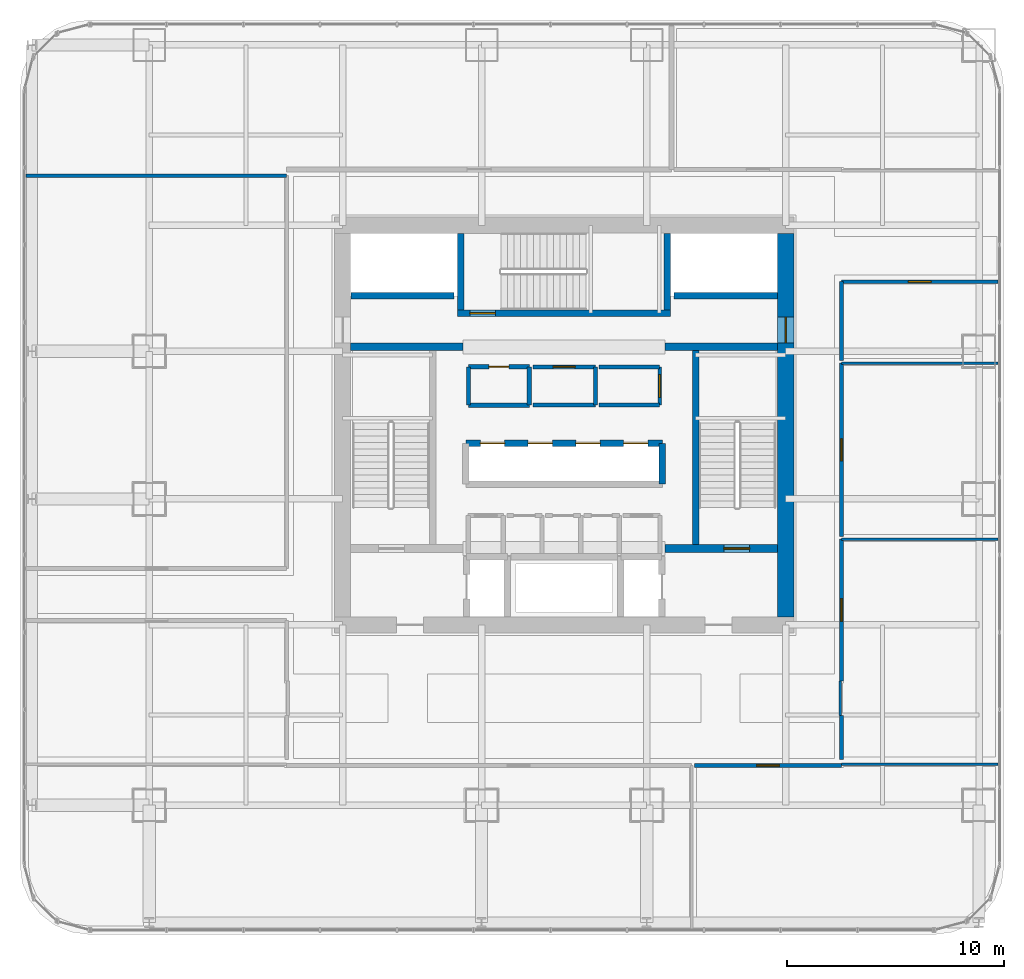
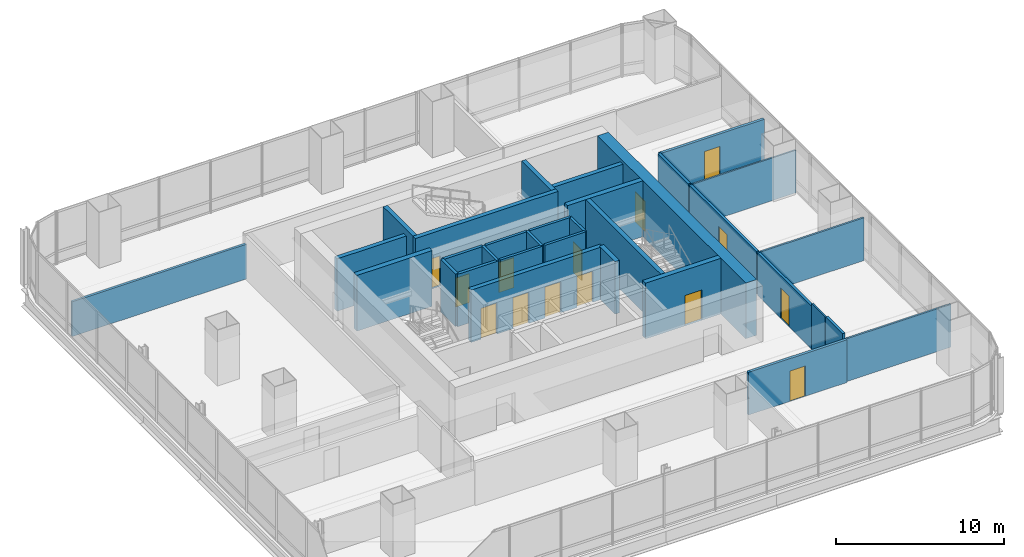
# One storey, part 29 of 35: 33 walls, 14 doors, 14 openings.
"""IFC4 building model written with IfcOpenShell, lengths in metres."""

from ifc_helpers import new_model, si_unit, direction, frame, frame_2d, origin, place, context, subcontext, project, spatial, rectangle, extrude, material, layer, layer_set, type_object, element, fill, save


model = new_model("IFC4")

# Units and contexts
model_context = context("Model", 3, precision=1e-05, world=origin(), true_north=direction((0.0, 1.0)))
body_context = subcontext(model_context, "Body", "Model", "MODEL_VIEW")
ifc_project = project(units=[si_unit("LENGTHUNIT", "METRE"), si_unit("AREAUNIT", "SQUARE_METRE"), si_unit("VOLUMEUNIT", "CUBIC_METRE"), si_unit("PLANEANGLEUNIT", "RADIAN"), si_unit("MASSUNIT", "GRAM", prefix="KILO")], contexts=[model_context])

# Site, building, storey
site_placement = place(None, origin())
site = spatial("IfcSite", under=ifc_project, at=site_placement, CompositionType="ELEMENT")
building_placement = place(site_placement, origin())
building = spatial("IfcBuilding", under=site, at=building_placement, Name="Punatoya Terracotta Tower", CompositionType="ELEMENT")
storey_placement = place(building_placement, frame((0.0, 0.0, 52.5)))
storey = spatial("IfcBuildingStorey", under=building, at=storey_placement, Name="L11", CompositionType="ELEMENT", Elevation=52.5)

# Wall, opening, door
ifc_material_1 = material(Name="Concrete C60/75", Category="concrete")
ifc_layer_1 = layer(ifc_material_1, 0.75)
ifc_layer_set_1 = layer_set([ifc_layer_1], Name="Concrete C60/75")
wall_type_1 = type_object("IfcWallType", Name="WL-COR-750", PredefinedType="SHEAR", material=ifc_layer_set_1)
wall_1_placement = place(storey_placement, frame((10.199951171875, 8.824951171875, 0.0), z_axis=(0.0, 0.0, 1.0), x_axis=(0.0, -1.0, 0.0)))
wall_1 = element("IfcWall", 1, at=wall_1_placement, inside=storey, type_object=wall_type_1, Name="L11 Core Shear Wall E", PredefinedType="SHEAR", context=body_context, shape_type="SweptSolid", body=[
    extrude(rectangle(XDim=17.64990234375, YDim=0.75, at=frame_2d((8.824951171875, 0.0))), origin(), (0.0, 0.0, 1.0), 4.050048828125),
])
opening_1_placement = place(wall_1_placement, frame((3.85498046875, 0.0, 0.0)))
opening_1 = element("IfcOpeningElement", 2, at=opening_1_placement, cuts=wall_1, Name="Opening SD-01", PredefinedType="OPENING", context=body_context, shape_type="SweptSolid", body=[
    extrude(rectangle(XDim=1.179931640625, YDim=2.199951171875, at=frame_2d((0.58984375, 1.10009765625))), frame((0.0, 0.385009765625, 0.0), z_axis=(0.0, -1.0, 0.0), x_axis=(1.0, 0.0, 0.0)), (0.0, 0.0, 1.0), 0.77001953125),
])
ifc_material_2 = material(Name="Galvanised Steel Pressurized Stair Fire Door", Category="steel")
door_type_1 = type_object("IfcDoorType", Name="DR-STR-1180", OperationType="NOTDEFINED", PredefinedType="DOOR", material=ifc_material_2)
door_1_placement = place(opening_1_placement, origin())
door_1 = element("IfcDoor", 3, at=door_1_placement, inside=storey, type_object=door_type_1, Name="L11 Central Lift Lobby East Fire Door", OperationType="SINGLE_SWING_RIGHT", OverallHeight=2.199951171875, OverallWidth=1.179931640625, PredefinedType="DOOR", context=body_context, shape_type="SweptSolid", body=[
    extrude(rectangle(XDim=1.179931640625, YDim=2.199951171875, at=frame_2d((0.58984375, 1.10009765625))), frame((0.0, 0.02490234375, 0.0), z_axis=(0.0, -1.0, 0.0), x_axis=(1.0, 0.0, 0.0)), (0.0, 0.0, 1.0), 0.050048828125),
])
fill(opening_1, door_1)

# Wall
ifc_material_3 = material(Name="Gypsum Fireboard + Steel Stud", Category="steel")
ifc_layer_2 = layer(ifc_material_3, 0.179931640625)
ifc_layer_set_2 = layer_set([ifc_layer_2], Name="Gypsum Fireboard + Steel Stud")
wall_type_2 = type_object("IfcWallType", Name="WL-CORR-180", PredefinedType="PARTITIONING", material=ifc_layer_set_2)
wall_2_placement = place(storey_placement, frame((1.43994140625, 0.919921875, 0.0), z_axis=(0.0, 0.0, 1.0), x_axis=(0.0, 1.0, 0.0)))
element("IfcWall", 4, at=wall_2_placement, inside=storey, type_object=wall_type_2, Name="L11 Center Core Briefing Pod Partition 16", PredefinedType="PARTITIONING", context=body_context, shape_type="SweptSolid", body=[
    extrude(rectangle(XDim=1.760009765625, YDim=0.179931640625, at=frame_2d((0.8798828125, 0.0))), origin(), (0.0, 0.0, 1.0), 3.81005859375),
])

# Wall, opening, door
wall_3_placement = place(storey_placement, frame((1.43994140625, 2.679931640625, 0.0), z_axis=(0.0, 0.0, 1.0), x_axis=(-1.0, 0.0, 0.0)))
wall_3 = element("IfcWall", 5, at=wall_3_placement, inside=storey, type_object=wall_type_2, Name="L11 Center Core Briefing Pod Partition 17", PredefinedType="PARTITIONING", context=body_context, shape_type="SweptSolid", body=[
    extrude(rectangle(XDim=2.8798828125, YDim=0.179931640625, at=frame_2d((1.43994140625, 0.0))), origin(), (0.0, 0.0, 1.0), 3.81005859375),
])
opening_2_placement = place(wall_3_placement, frame((0.929931640625, 0.0, 0.0)))
opening_2 = element("IfcOpeningElement", 6, at=opening_2_placement, cuts=wall_3, Name="Opening MD-01", PredefinedType="OPENING", context=body_context, shape_type="SweptSolid", body=[
    extrude(rectangle(XDim=1.02001953125, YDim=2.199951171875, at=frame_2d((0.510009765625, 1.10009765625))), frame((0.0, 0.099853515625, 0.0), z_axis=(0.0, -1.0, 0.0), x_axis=(1.0, 0.0, 0.0)), (0.0, 0.0, 1.0), 0.199951171875),
])
ifc_material_4 = material(Name="Aluminium + Acoustic Glass Leaf", Category="aluminium")
door_type_2 = type_object("IfcDoorType", Name="DR-MTG-1020", OperationType="NOTDEFINED", PredefinedType="DOOR", material=ifc_material_4)
door_2_placement = place(opening_2_placement, origin())
door_2 = element("IfcDoor", 7, at=door_2_placement, inside=storey, type_object=door_type_2, Name="L11 Center Briefing Pod Door", OperationType="SINGLE_SWING_RIGHT", OverallHeight=2.199951171875, OverallWidth=1.02001953125, PredefinedType="DOOR", context=body_context, shape_type="SweptSolid", body=[
    extrude(rectangle(XDim=1.02001953125, YDim=2.199951171875, at=frame_2d((0.510009765625, 1.10009765625))), frame((0.0, 0.02490234375, 0.0), z_axis=(0.0, -1.0, 0.0), x_axis=(1.0, 0.0, 0.0)), (0.0, 0.0, 1.0), 0.050048828125),
])
fill(opening_2, door_2)

# Wall
wall_4_placement = place(storey_placement, frame((-1.43994140625, 0.919921875, 0.0), z_axis=(0.0, 0.0, 1.0), x_axis=(1.0, 0.0, 0.0)))
element("IfcWall", 8, at=wall_4_placement, inside=storey, type_object=wall_type_2, Name="L11 Center Core Briefing Pod Partition 18", PredefinedType="PARTITIONING", context=body_context, shape_type="SweptSolid", body=[
    extrude(rectangle(XDim=2.8798828125, YDim=0.179931640625, at=frame_2d((1.43994140625, 0.0))), origin(), (0.0, 0.0, 1.0), 3.81005859375),
])

# Wall, opening, door
wall_5_placement = place(storey_placement, frame((4.39990234375, 0.919921875, 0.0), z_axis=(0.0, 0.0, 1.0), x_axis=(0.0, 1.0, 0.0)))
wall_5 = element("IfcWall", 9, at=wall_5_placement, inside=storey, type_object=wall_type_2, Name="L11 Right Core Copy Room Partition 19", PredefinedType="PARTITIONING", context=body_context, shape_type="SweptSolid", body=[
    extrude(rectangle(XDim=1.760009765625, YDim=0.179931640625, at=frame_2d((0.8798828125, 0.0))), origin(), (0.0, 0.0, 1.0), 3.81005859375),
])
opening_3_placement = place(wall_5_placement, frame((0.35498046875, 0.0, 0.0)))
opening_3 = element("IfcOpeningElement", 10, at=opening_3_placement, cuts=wall_5, Name="Opening OD-01", PredefinedType="OPENING", context=body_context, shape_type="SweptSolid", body=[
    extrude(rectangle(XDim=1.050048828125, YDim=2.199951171875, at=frame_2d((0.52490234375, 1.10009765625))), frame((0.0, 0.099853515625, 0.0), z_axis=(0.0, -1.0, 0.0), x_axis=(1.0, 0.0, 0.0)), (0.0, 0.0, 1.0), 0.199951171875),
])
ifc_material_5 = material(Name="Bengal Teak Solid-Core Leaf")
door_type_3 = type_object("IfcDoorType", Name="DR-OFF-1050", OperationType="NOTDEFINED", PredefinedType="DOOR", material=ifc_material_5)
door_3_placement = place(opening_3_placement, origin())
door_3 = element("IfcDoor", 11, at=door_3_placement, inside=storey, type_object=door_type_3, Name="L11 Right Copy Room Door", OperationType="SINGLE_SWING_LEFT", OverallHeight=2.199951171875, OverallWidth=1.050048828125, PredefinedType="DOOR", context=body_context, shape_type="SweptSolid", body=[
    extrude(rectangle(XDim=1.050048828125, YDim=2.199951171875, at=frame_2d((0.52490234375, 1.10009765625))), frame((0.0, 0.02490234375, 0.0), z_axis=(0.0, -1.0, 0.0), x_axis=(1.0, 0.0, 0.0)), (0.0, 0.0, 1.0), 0.050048828125),
])
fill(opening_3, door_3)

# Walls
for number, where, z_axis, x_axis, name in (
    (12, (4.39990234375, 2.679931640625, 0.0), (0.0, 0.0, 1.0), (-1.0, 0.0, 0.0), "L11 Right Core Copy Room Partition 20"),
    (13, (1.60009765625, 0.919921875, 0.0), (0.0, 0.0, 1.0), (1.0, 0.0, 0.0), "L11 Right Core Copy Room Partition 21"),
):
    element("IfcWall", number, at=place(storey_placement, frame(where, z_axis=z_axis, x_axis=x_axis)), inside=storey, type_object=wall_type_2, Name=name, PredefinedType="PARTITIONING", context=body_context, shape_type="SweptSolid", body=[
        extrude(rectangle(XDim=2.7998046875, YDim=0.179931640625, at=frame_2d((1.39990234375, 0.0))), origin(), (0.0, 0.0, 1.0), 3.81005859375),
    ])

# Wall, opening, door
wall_6_placement = place(storey_placement, frame((5.993896484375, -15.669921875, 0.0), z_axis=(0.0, 0.0, 1.0), x_axis=(1.0, 0.0, 0.0)))
wall_6 = element("IfcWall", 14, at=wall_6_placement, inside=storey, type_object=wall_type_2, Name="L11 Open-Plan Cartography Reference Library Partition 26", PredefinedType="PARTITIONING", context=body_context, shape_type="SweptSolid", body=[
    extrude(rectangle(XDim=6.776123046875, YDim=0.179931640625, at=frame_2d((3.38818359375, 0.0))), origin(), (0.0, 0.0, 1.0), 3.10400390625),
])
opening_4_placement = place(wall_6_placement, frame((2.863037109375, 0.0, 0.0)))
opening_4 = element("IfcOpeningElement", 15, at=opening_4_placement, cuts=wall_6, Name="Opening OD-01", PredefinedType="OPENING", context=body_context, shape_type="SweptSolid", body=[
    extrude(rectangle(XDim=1.050048828125, YDim=2.199951171875, at=frame_2d((0.52490234375, 1.10009765625))), frame((0.0, 0.099853515625, 0.0), z_axis=(0.0, -1.0, 0.0), x_axis=(1.0, 0.0, 0.0)), (0.0, 0.0, 1.0), 0.199951171875),
])
door_4_placement = place(opening_4_placement, origin())
door_4 = element("IfcDoor", 16, at=door_4_placement, inside=storey, type_object=door_type_3, Name="L11 Open-Plan Cartography Reference Library Door", OperationType="SINGLE_SWING_LEFT", OverallHeight=2.199951171875, OverallWidth=1.050048828125, PredefinedType="DOOR", context=body_context, shape_type="SweptSolid", body=[
    extrude(rectangle(XDim=1.050048828125, YDim=2.199951171875, at=frame_2d((0.52490234375, 1.10009765625))), frame((0.0, 0.02490234375, 0.0), z_axis=(0.0, -1.0, 0.0), x_axis=(1.0, 0.0, 0.0)), (0.0, 0.0, 1.0), 0.050048828125),
])
fill(opening_4, door_4)

wall_7_placement = place(storey_placement, frame((12.77001953125, -11.77001953125, 0.0), z_axis=(0.0, 0.0, 1.0), x_axis=(0.0, 1.0, 0.0)))
wall_7 = element("IfcWall", 17, at=wall_7_placement, inside=storey, type_object=wall_type_2, Name="L11 Environmental Research Laboratory Partition 32", PredefinedType="PARTITIONING", context=body_context, shape_type="SweptSolid", body=[
    extrude(rectangle(XDim=6.52001953125, YDim=0.179931640625, at=frame_2d((3.260009765625, 0.0))), origin(), (0.0, 0.0, 1.0), 3.10400390625),
])
opening_5_placement = place(wall_7_placement, frame((2.735107421875, 0.0, 0.0)))
opening_5 = element("IfcOpeningElement", 18, at=opening_5_placement, cuts=wall_7, Name="Opening OD-01", PredefinedType="OPENING", context=body_context, shape_type="SweptSolid", body=[
    extrude(rectangle(XDim=1.050048828125, YDim=2.199951171875, at=frame_2d((0.52490234375, 1.10009765625))), frame((0.0, 0.099853515625, 0.0), z_axis=(0.0, -1.0, 0.0), x_axis=(1.0, 0.0, 0.0)), (0.0, 0.0, 1.0), 0.199951171875),
])
door_5_placement = place(opening_5_placement, origin())
door_5 = element("IfcDoor", 19, at=door_5_placement, inside=storey, type_object=door_type_3, Name="L11 Environmental Research Laboratory Door", OperationType="SINGLE_SWING_LEFT", OverallHeight=2.199951171875, OverallWidth=1.050048828125, PredefinedType="DOOR", context=body_context, shape_type="SweptSolid", body=[
    extrude(rectangle(XDim=1.050048828125, YDim=2.199951171875, at=frame_2d((0.52490234375, 1.10009765625))), frame((0.0, 0.02490234375, 0.0), z_axis=(0.0, -1.0, 0.0), x_axis=(1.0, 0.0, 0.0)), (0.0, 0.0, 1.0), 0.050048828125),
])
fill(opening_5, door_5)

# Wall
wall_8_placement = place(storey_placement, frame((12.77001953125, -15.389892578125, 0.0), z_axis=(0.0, 0.0, 1.0), x_axis=(0.0, 1.0, 0.0)))
element("IfcWall", 20, at=wall_8_placement, inside=storey, type_object=wall_type_2, Name="L11 Environmental Research Laboratory Partition 34", PredefinedType="PARTITIONING", context=body_context, shape_type="SweptSolid", body=[
    extrude(rectangle(XDim=2.010009765625, YDim=0.179931640625, at=frame_2d((1.0048828125, 0.0))), origin(), (0.0, 0.0, 1.0), 3.35400390625),
])

# Wall, opening, door
wall_9_placement = place(storey_placement, frame((12.77001953125, -5.1298828125, 0.0), z_axis=(0.0, 0.0, 1.0), x_axis=(0.0, 1.0, 0.0)))
wall_9 = element("IfcWall", 21, at=wall_9_placement, inside=storey, type_object=wall_type_2, Name="L11 Open-Plan Technical Seminar Room Partition 36", PredefinedType="PARTITIONING", context=body_context, shape_type="SweptSolid", body=[
    extrude(rectangle(XDim=7.97998046875, YDim=0.179931640625, at=frame_2d((3.989990234375, 0.0))), origin(), (0.0, 0.0, 1.0), 3.10400390625),
])
opening_6_placement = place(wall_9_placement, frame((3.47998046875, 0.0, 0.0)))
opening_6 = element("IfcOpeningElement", 22, at=opening_6_placement, cuts=wall_9, Name="Opening MD-01", PredefinedType="OPENING", context=body_context, shape_type="SweptSolid", body=[
    extrude(rectangle(XDim=1.02001953125, YDim=2.199951171875, at=frame_2d((0.510009765625, 1.10009765625))), frame((0.0, 0.099853515625, 0.0), z_axis=(0.0, -1.0, 0.0), x_axis=(1.0, 0.0, 0.0)), (0.0, 0.0, 1.0), 0.199951171875),
])
door_6_placement = place(opening_6_placement, origin())
door_6 = element("IfcDoor", 23, at=door_6_placement, inside=storey, type_object=door_type_2, Name="L11 Open-Plan Technical Seminar Room Door", OperationType="SINGLE_SWING_RIGHT", OverallHeight=2.199951171875, OverallWidth=1.02001953125, PredefinedType="DOOR", context=body_context, shape_type="SweptSolid", body=[
    extrude(rectangle(XDim=1.02001953125, YDim=2.199951171875, at=frame_2d((0.510009765625, 1.10009765625))), frame((0.0, 0.02490234375, 0.0), z_axis=(0.0, -1.0, 0.0), x_axis=(1.0, 0.0, 0.0)), (0.0, 0.0, 1.0), 0.050048828125),
])
fill(opening_6, door_6)

wall_10_placement = place(storey_placement, frame((12.77001953125, 6.60009765625, 0.0), z_axis=(0.0, 0.0, 1.0), x_axis=(1.0, 0.0, 0.0)))
wall_10 = element("IfcWall", 24, at=wall_10_placement, inside=storey, type_object=wall_type_2, Name="L11 Open-Plan Wellness Rest Room Partition 40", PredefinedType="PARTITIONING", context=body_context, shape_type="SweptSolid", body=[
    extrude(rectangle(XDim=7.199951171875, YDim=0.179931640625, at=frame_2d((3.60009765625, 0.0))), origin(), (0.0, 0.0, 1.0), 3.10400390625),
])
opening_7_placement = place(wall_10_placement, frame((3.074951171875, 0.0, 0.0)))
opening_7 = element("IfcOpeningElement", 25, at=opening_7_placement, cuts=wall_10, Name="Opening OD-01", PredefinedType="OPENING", context=body_context, shape_type="SweptSolid", body=[
    extrude(rectangle(XDim=1.050048828125, YDim=2.199951171875, at=frame_2d((0.52490234375, 1.10009765625))), frame((0.0, 0.099853515625, 0.0), z_axis=(0.0, -1.0, 0.0), x_axis=(1.0, 0.0, 0.0)), (0.0, 0.0, 1.0), 0.199951171875),
])
door_7_placement = place(opening_7_placement, origin())
door_7 = element("IfcDoor", 26, at=door_7_placement, inside=storey, type_object=door_type_3, Name="L11 Open-Plan Wellness Rest Room Door", OperationType="SINGLE_SWING_RIGHT", OverallHeight=2.199951171875, OverallWidth=1.050048828125, PredefinedType="DOOR", context=body_context, shape_type="SweptSolid", body=[
    extrude(rectangle(XDim=1.050048828125, YDim=2.199951171875, at=frame_2d((0.52490234375, 1.10009765625))), frame((0.0, 0.02490234375, 0.0), z_axis=(0.0, -1.0, 0.0), x_axis=(1.0, 0.0, 0.0)), (0.0, 0.0, 1.0), 0.050048828125),
])
fill(opening_7, door_7)

# Walls
wall_11_placement = place(storey_placement, frame((12.77001953125, 2.969970703125, 0.0), z_axis=(0.0, 0.0, 1.0), x_axis=(0.0, 1.0, 0.0)))
element("IfcWall", 27, at=wall_11_placement, inside=storey, type_object=wall_type_2, Name="L11 Open-Plan Wellness Rest Room Partition 41", PredefinedType="PARTITIONING", context=body_context, shape_type="SweptSolid", body=[
    extrude(rectangle(XDim=3.630126953125, YDim=0.179931640625, at=frame_2d((1.81494140625, 0.0))), origin(), (0.0, 0.0, 1.0), 3.10400390625),
])
ifc_material_6 = material(Name="Aluminium Framed Acoustic Glass Partition", Category="aluminium")
ifc_layer_3 = layer(ifc_material_6, 0.10009765625)
ifc_layer_set_3 = layer_set([ifc_layer_3], Name="Aluminium Framed Acoustic Glass Partition")
wall_type_3 = type_object("IfcWallType", Name="WL-GLZ-100", PredefinedType="PARTITIONING", material=ifc_layer_set_3)
wall_12_placement = place(storey_placement, frame((12.77001953125, 2.85009765625, 0.0), z_axis=(0.0, 0.0, 1.0), x_axis=(1.0, 0.0, 0.0)))
element("IfcWall", 28, at=wall_12_placement, inside=storey, type_object=wall_type_3, Name="L11 Open-Plan Technical Seminar Room Partition 35", PredefinedType="PARTITIONING", context=body_context, shape_type="SweptSolid", body=[
    extrude(rectangle(XDim=7.199951171875, YDim=0.10009765625, at=frame_2d((3.60009765625, 0.0))), origin(), (0.0, 0.0, 1.0), 3.10400390625),
])
ifc_material_7 = material(Name="Concrete C40/50", Category="concrete")
ifc_layer_4 = layer(ifc_material_7, 0.199951171875)
ifc_layer_set_4 = layer_set([ifc_layer_4], Name="Concrete C40/50")
wall_type_4 = type_object("IfcWallType", Name="WL-INT-200", PredefinedType="SOLIDWALL", material=ifc_layer_set_4)
wall_13_placement = place(storey_placement, frame((-1.60009765625, 0.919921875, 0.0), z_axis=(0.0, 0.0, 1.0), x_axis=(0.0, 1.0, 0.0)))
element("IfcWall", 29, at=wall_13_placement, inside=storey, type_object=wall_type_4, Name="L11 Left Core Store Partition 12", PredefinedType="SOLIDWALL", context=body_context, shape_type="SweptSolid", body=[
    extrude(rectangle(XDim=1.760009765625, YDim=0.199951171875, at=frame_2d((0.8798828125, 0.0))), origin(), (0.0, 0.0, 1.0), 3.81005859375),
])

# Wall, opening, door
wall_14_placement = place(storey_placement, frame((-1.60009765625, 2.679931640625, 0.0), z_axis=(0.0, 0.0, 1.0), x_axis=(-1.0, 0.0, 0.0)))
wall_14 = element("IfcWall", 30, at=wall_14_placement, inside=storey, type_object=wall_type_4, Name="L11 Left Core Store Partition 13", PredefinedType="SOLIDWALL", context=body_context, shape_type="SweptSolid", body=[
    extrude(rectangle(XDim=2.7998046875, YDim=0.199951171875, at=frame_2d((1.39990234375, 0.0))), origin(), (0.0, 0.0, 1.0), 3.81005859375),
])
opening_8_placement = place(wall_14_placement, frame((0.93994140625, 0.0, 0.0)))
opening_8 = element("IfcOpeningElement", 31, at=opening_8_placement, cuts=wall_14, Name="Opening FD-R1", PredefinedType="OPENING", context=body_context, shape_type="SweptSolid", body=[
    extrude(rectangle(XDim=0.919921875, YDim=2.10009765625, at=frame_2d((0.4599609375, 1.050048828125))), frame((0.0, 0.10986328125, 0.0), z_axis=(0.0, -1.0, 0.0), x_axis=(1.0, 0.0, 0.0)), (0.0, 0.0, 1.0), 0.219970703125),
])
ifc_material_8 = material(Name="Galvanised Steel Riser Fire Access Door", Category="steel")
door_type_4 = type_object("IfcDoorType", Name="DR-RSR-920", OperationType="NOTDEFINED", PredefinedType="DOOR", material=ifc_material_8)
door_8_placement = place(opening_8_placement, origin())
door_8 = element("IfcDoor", 32, at=door_8_placement, inside=storey, type_object=door_type_4, Name="L11 Left Core Store Fire Door", OperationType="SINGLE_SWING_LEFT", OverallHeight=2.10009765625, OverallWidth=0.919921875, PredefinedType="DOOR", context=body_context, shape_type="SweptSolid", body=[
    extrude(rectangle(XDim=0.919921875, YDim=2.10009765625, at=frame_2d((0.4599609375, 1.050048828125))), frame((0.0, 0.02490234375, 0.0), z_axis=(0.0, -1.0, 0.0), x_axis=(1.0, 0.0, 0.0)), (0.0, 0.0, 1.0), 0.050048828125),
])
fill(opening_8, door_8)

# Walls
wall_15_placement = place(storey_placement, frame((-4.39990234375, 2.679931640625, 0.0), z_axis=(0.0, 0.0, 1.0), x_axis=(0.0, -1.0, 0.0)))
element("IfcWall", 33, at=wall_15_placement, inside=storey, type_object=wall_type_4, Name="L11 Left Core Store Partition 14", PredefinedType="SOLIDWALL", context=body_context, shape_type="SweptSolid", body=[
    extrude(rectangle(XDim=1.760009765625, YDim=0.199951171875, at=frame_2d((0.8798828125, 0.0))), origin(), (0.0, 0.0, 1.0), 3.81005859375),
])
wall_16_placement = place(storey_placement, frame((-4.39990234375, 0.919921875, 0.0), z_axis=(0.0, 0.0, 1.0), x_axis=(1.0, 0.0, 0.0)))
element("IfcWall", 34, at=wall_16_placement, inside=storey, type_object=wall_type_4, Name="L11 Left Core Store Partition 15", PredefinedType="SOLIDWALL", context=body_context, shape_type="SweptSolid", body=[
    extrude(rectangle(XDim=2.7998046875, YDim=0.199951171875, at=frame_2d((1.39990234375, 0.0))), origin(), (0.0, 0.0, 1.0), 3.81005859375),
])
ifc_material_9 = material(Name="Gypsum Partition + Steel Stud", Category="steel")
ifc_layer_5 = layer(ifc_material_9, 0.1201171875)
ifc_layer_set_5 = layer_set([ifc_layer_5], Name="Gypsum Partition + Steel Stud")
wall_type_5 = type_object("IfcWallType", Name="WL-OFF-120", PredefinedType="PARTITIONING", material=ifc_layer_set_5)
wall_17_placement = place(storey_placement, frame((12.77001953125, -15.610107421875, 0.0), z_axis=(0.0, 0.0, 1.0), x_axis=(1.0, 0.0, 0.0)))
element("IfcWall", 35, at=wall_17_placement, inside=storey, type_object=wall_type_5, Name="L11 Open-Plan Cartography Reference Library Partition 25", PredefinedType="PARTITIONING", context=body_context, shape_type="SweptSolid", body=[
    extrude(rectangle(XDim=7.199951171875, YDim=0.1201171875, at=frame_2d((3.60009765625, 0.0))), origin(), (0.0, 0.0, 1.0), 3.10400390625),
])
wall_18_placement = place(storey_placement, frame((12.7099609375, -13.3798828125, 0.0), z_axis=(0.0, 0.0, 1.0), x_axis=(0.0, 1.0, 0.0)))
element("IfcWall", 36, at=wall_18_placement, inside=storey, type_object=wall_type_5, Name="L11 Environmental Research Laboratory Partition 31", PredefinedType="PARTITIONING", context=body_context, shape_type="SweptSolid", body=[
    extrude(rectangle(XDim=1.60986328125, YDim=0.1201171875, at=frame_2d((0.804931640625, 0.0))), origin(), (0.0, 0.0, 1.0), 3.35400390625),
])
wall_19_placement = place(storey_placement, frame((12.77001953125, -5.25, 0.0), z_axis=(0.0, 0.0, 1.0), x_axis=(1.0, 0.0, 0.0)))
element("IfcWall", 37, at=wall_19_placement, inside=storey, type_object=wall_type_5, Name="L11 Environmental Research Laboratory Partition 33", PredefinedType="PARTITIONING", context=body_context, shape_type="SweptSolid", body=[
    extrude(rectangle(XDim=7.199951171875, YDim=0.1201171875, at=frame_2d((3.60009765625, 0.0))), origin(), (0.0, 0.0, 1.0), 3.10400390625),
])
ifc_layer_6 = layer(ifc_material_7, 0.300048828125)
ifc_layer_set_6 = layer_set([ifc_layer_6], Name="Concrete C40/50")
wall_type_6 = type_object("IfcWallType", Name="WL-SHF-300", PredefinedType="SOLIDWALL", material=ifc_layer_set_6)
wall_20_placement = place(storey_placement, frame((6.050048828125, 3.449951171875, 0.0), z_axis=(0.0, 0.0, 1.0), x_axis=(0.0, -1.0, 0.0)))
element("IfcWall", 38, at=wall_20_placement, inside=storey, type_object=wall_type_6, Name="L11 Structural Stair Shaft Wall SW-ST2-W", PredefinedType="SOLIDWALL", context=body_context, shape_type="SweptSolid", body=[
    extrude(rectangle(XDim=8.949951171875, YDim=0.300048828125, at=frame_2d((4.47509765625, 0.0))), origin(), (0.0, 0.0, 1.0), 4.050048828125),
])
for number, where, z_axis, x_axis, name in (
    (39, (-4.75, 5.300048828125, 0.0), (0.0, 0.0, 1.0), (0.0, 1.0, 0.0), "L11 Structural Stair Shaft Wall SW-ST3-W"),
    (40, (4.75, 8.824951171875, 0.0), (0.0, 0.0, 1.0), (0.0, -1.0, 0.0), "L11 Structural Stair Shaft Wall SW-ST3-E"),
):
    element("IfcWall", number, at=place(storey_placement, frame(where, z_axis=z_axis, x_axis=x_axis)), inside=storey, type_object=wall_type_6, Name=name, PredefinedType="SOLIDWALL", context=body_context, shape_type="SweptSolid", body=[
        extrude(rectangle(XDim=3.52490234375, YDim=0.300048828125, at=frame_2d((1.762451171875, 0.0))), origin(), (0.0, 0.0, 1.0), 4.050048828125),
    ])

# Wall, opening, door
wall_21_placement = place(storey_placement, frame((-4.89990234375, 5.14990234375, 0.0), z_axis=(0.0, 0.0, 1.0), x_axis=(1.0, 0.0, 0.0)))
wall_21 = element("IfcWall", 41, at=wall_21_placement, inside=storey, type_object=wall_type_6, Name="L11 Structural Stair Shaft Wall SW-ST3-S", PredefinedType="SOLIDWALL", context=body_context, shape_type="SweptSolid", body=[
    extrude(rectangle(XDim=9.7998046875, YDim=0.300048828125, at=frame_2d((4.89990234375, 0.0))), origin(), (0.0, 0.0, 1.0), 4.050048828125),
])
opening_9_placement = place(wall_21_placement, frame((0.56005859375, 0.0, 0.0)))
opening_9 = element("IfcOpeningElement", 42, at=opening_9_placement, cuts=wall_21, Name="Opening SD-01", PredefinedType="OPENING", context=body_context, shape_type="SweptSolid", body=[
    extrude(rectangle(XDim=1.179931640625, YDim=2.199951171875, at=frame_2d((0.58984375, 1.10009765625))), frame((0.0, 0.159912109375, 0.0), z_axis=(0.0, -1.0, 0.0), x_axis=(1.0, 0.0, 0.0)), (0.0, 0.0, 1.0), 0.320068359375),
])
door_9_placement = place(opening_9_placement, origin())
door_9 = element("IfcDoor", 43, at=door_9_placement, inside=storey, type_object=door_type_1, Name="L11 Stair ST-3 Core Lobby Fire Door", OperationType="SINGLE_SWING_LEFT", OverallHeight=2.199951171875, OverallWidth=1.179931640625, PredefinedType="DOOR", context=body_context, shape_type="SweptSolid", body=[
    extrude(rectangle(XDim=1.179931640625, YDim=2.199951171875, at=frame_2d((0.58984375, 1.10009765625))), frame((0.0, 0.02490234375, 0.0), z_axis=(0.0, -1.0, 0.0), x_axis=(1.0, 0.0, 0.0)), (0.0, 0.0, 1.0), 0.050048828125),
])
fill(opening_9, door_9)

# Wall, openings, doors
wall_22_placement = place(storey_placement, frame((-4.52001953125, -0.840087890625, 0.0), z_axis=(0.0, 0.0, 1.0), x_axis=(1.0, 0.0, 0.0)))
wall_22 = element("IfcWall", 44, at=wall_22_placement, inside=storey, type_object=wall_type_6, Name="L11 South Lift Bank Front Shaft Wall", PredefinedType="SOLIDWALL", context=body_context, shape_type="SweptSolid", body=[
    extrude(rectangle(XDim=9.0400390625, YDim=0.300048828125, at=frame_2d((4.52001953125, 0.0))), origin(), (0.0, 0.0, 1.0), 3.81005859375),
])
opening_10_placement = place(wall_22_placement, frame((0.659912109375, 0.0, 0.0)))
opening_10 = element("IfcOpeningElement", 45, at=opening_10_placement, cuts=wall_22, Name="Opening LD-02", PredefinedType="OPENING", context=body_context, shape_type="SweptSolid", body=[
    extrude(rectangle(XDim=1.1201171875, YDim=2.25, at=frame_2d((0.56005859375, 1.125))), frame((0.0, 0.159912109375, 0.0), z_axis=(0.0, -1.0, 0.0), x_axis=(1.0, 0.0, 0.0)), (0.0, 0.0, 1.0), 0.320068359375),
])
opening_11_placement = place(wall_22_placement, frame((2.860107421875, 0.0, 0.0)))
opening_11 = element("IfcOpeningElement", 46, at=opening_11_placement, cuts=wall_22, Name="Opening LD-02", PredefinedType="OPENING", context=body_context, shape_type="SweptSolid", body=[
    extrude(rectangle(XDim=1.1201171875, YDim=2.25, at=frame_2d((0.56005859375, 1.125))), frame((0.0, 0.159912109375, 0.0), z_axis=(0.0, -1.0, 0.0), x_axis=(1.0, 0.0, 0.0)), (0.0, 0.0, 1.0), 0.320068359375),
])
opening_12_placement = place(wall_22_placement, frame((5.06005859375, 0.0, 0.0)))
opening_12 = element("IfcOpeningElement", 47, at=opening_12_placement, cuts=wall_22, Name="Opening LD-02", PredefinedType="OPENING", context=body_context, shape_type="SweptSolid", body=[
    extrude(rectangle(XDim=1.1201171875, YDim=2.25, at=frame_2d((0.56005859375, 1.125))), frame((0.0, 0.159912109375, 0.0), z_axis=(0.0, -1.0, 0.0), x_axis=(1.0, 0.0, 0.0)), (0.0, 0.0, 1.0), 0.320068359375),
])
opening_13_placement = place(wall_22_placement, frame((7.260009765625, 0.0, 0.0)))
opening_13 = element("IfcOpeningElement", 48, at=opening_13_placement, cuts=wall_22, Name="Opening LD-02", PredefinedType="OPENING", context=body_context, shape_type="SweptSolid", body=[
    extrude(rectangle(XDim=1.1201171875, YDim=2.25, at=frame_2d((0.56005859375, 1.125))), frame((0.0, 0.159912109375, 0.0), z_axis=(0.0, -1.0, 0.0), x_axis=(1.0, 0.0, 0.0)), (0.0, 0.0, 1.0), 0.320068359375),
])
ifc_material_10 = material(Name="Stainless Steel Lift Landing Door", Category="steel")
door_type_5 = type_object("IfcDoorType", Name="DR-LND-1120", OperationType="NOTDEFINED", PredefinedType="DOOR", material=ifc_material_10)
door_10_placement = place(opening_10_placement, origin())
door_10 = element("IfcDoor", 49, at=door_10_placement, inside=storey, type_object=door_type_5, Name="L11 Lift PL-L1 Sliding Landing Door", OperationType="DOUBLE_DOOR_SLIDING", OverallHeight=2.25, OverallWidth=1.1201171875, PredefinedType="DOOR", context=body_context, shape_type="SweptSolid", body=[
    extrude(rectangle(XDim=1.1201171875, YDim=2.25, at=frame_2d((0.56005859375, 1.125))), frame((0.0, 0.02490234375, 0.0), z_axis=(0.0, -1.0, 0.0), x_axis=(1.0, 0.0, 0.0)), (0.0, 0.0, 1.0), 0.050048828125),
])
fill(opening_10, door_10)
door_11_placement = place(opening_11_placement, origin())
door_11 = element("IfcDoor", 50, at=door_11_placement, inside=storey, type_object=door_type_5, Name="L11 Lift PL-L2 Sliding Landing Door", OperationType="DOUBLE_DOOR_SLIDING", OverallHeight=2.25, OverallWidth=1.1201171875, PredefinedType="DOOR", context=body_context, shape_type="SweptSolid", body=[
    extrude(rectangle(XDim=1.1201171875, YDim=2.25, at=frame_2d((0.56005859375, 1.125))), frame((0.0, 0.02490234375, 0.0), z_axis=(0.0, -1.0, 0.0), x_axis=(1.0, 0.0, 0.0)), (0.0, 0.0, 1.0), 0.050048828125),
])
fill(opening_11, door_11)
door_12_placement = place(opening_12_placement, origin())
door_12 = element("IfcDoor", 51, at=door_12_placement, inside=storey, type_object=door_type_5, Name="L11 Lift PL-L3 Sliding Landing Door", OperationType="DOUBLE_DOOR_SLIDING", OverallHeight=2.25, OverallWidth=1.1201171875, PredefinedType="DOOR", context=body_context, shape_type="SweptSolid", body=[
    extrude(rectangle(XDim=1.1201171875, YDim=2.25, at=frame_2d((0.56005859375, 1.125))), frame((0.0, 0.02490234375, 0.0), z_axis=(0.0, -1.0, 0.0), x_axis=(1.0, 0.0, 0.0)), (0.0, 0.0, 1.0), 0.050048828125),
])
fill(opening_12, door_12)
door_13_placement = place(opening_13_placement, origin())
door_13 = element("IfcDoor", 52, at=door_13_placement, inside=storey, type_object=door_type_5, Name="L11 Lift PL-L4 Sliding Landing Door", OperationType="DOUBLE_DOOR_SLIDING", OverallHeight=2.25, OverallWidth=1.1201171875, PredefinedType="DOOR", context=body_context, shape_type="SweptSolid", body=[
    extrude(rectangle(XDim=1.1201171875, YDim=2.25, at=frame_2d((0.56005859375, 1.125))), frame((0.0, 0.02490234375, 0.0), z_axis=(0.0, -1.0, 0.0), x_axis=(1.0, 0.0, 0.0)), (0.0, 0.0, 1.0), 0.050048828125),
])
fill(opening_13, door_13)

# Walls
wall_23_placement = place(storey_placement, frame((4.52001953125, -2.719970703125, 0.0), z_axis=(0.0, 0.0, 1.0), x_axis=(0.0, 1.0, 0.0)))
element("IfcWall", 53, at=wall_23_placement, inside=storey, type_object=wall_type_6, Name="L11 South Lift Bank East End Wall", PredefinedType="SOLIDWALL", context=body_context, shape_type="SweptSolid", body=[
    extrude(rectangle(XDim=1.8798828125, YDim=0.300048828125, at=frame_2d((0.93994140625, 0.0))), origin(), (0.0, 0.0, 1.0), 3.81005859375),
])
for number, where, z_axis, x_axis, name in (
    (54, (-9.820068359375, 5.949951171875, 0.0), (0.0, 0.0, 1.0), (1.0, 0.0, 0.0), "L11 Shuttle SL-1 South Hoistway Wall"),
    (55, (5.06005859375, 5.949951171875, 0.0), (0.0, 0.0, 1.0), (1.0, 0.0, 0.0), "L11 Shuttle SL-2 South Hoistway Wall"),
):
    element("IfcWall", number, at=place(storey_placement, frame(where, z_axis=z_axis, x_axis=x_axis)), inside=storey, type_object=wall_type_6, Name=name, PredefinedType="SOLIDWALL", context=body_context, shape_type="SweptSolid", body=[
        extrude(rectangle(XDim=4.760009765625, YDim=0.300048828125, at=frame_2d((2.3798828125, 0.0))), origin(), (0.0, 0.0, 1.0), 3.81005859375),
    ])

# Wall, opening, door
ifc_material_11 = material(Name="Concrete C50/60", Category="concrete")
ifc_layer_7 = layer(ifc_material_11, 0.35009765625)
ifc_layer_set_7 = layer_set([ifc_layer_7], Name="Concrete C50/60")
wall_type_7 = type_object("IfcWallType", Name="WL-SHF-350", PredefinedType="SOLIDWALL", material=ifc_layer_set_7)
wall_24_placement = place(storey_placement, frame((4.64990234375, -5.679931640625, 0.0), z_axis=(0.0, 0.0, 1.0), x_axis=(1.0, 0.0, 0.0)))
wall_24 = element("IfcWall", 56, at=wall_24_placement, inside=storey, type_object=wall_type_7, Name="L11 Core Web Wall CSW-R", PredefinedType="SOLIDWALL", context=body_context, shape_type="SweptSolid", body=[
    extrude(rectangle(XDim=5.175048828125, YDim=0.35009765625, at=frame_2d((2.58740234375, 0.0))), origin(), (0.0, 0.0, 1.0), 4.050048828125),
])
opening_14_placement = place(wall_24_placement, frame((2.7099609375, 0.0, 0.0)))
opening_14 = element("IfcOpeningElement", 57, at=opening_14_placement, cuts=wall_24, Name="Opening SD-01", PredefinedType="OPENING", context=body_context, shape_type="SweptSolid", body=[
    extrude(rectangle(XDim=1.179931640625, YDim=2.199951171875, at=frame_2d((0.58984375, 1.10009765625))), frame((0.0, 0.18505859375, 0.0), z_axis=(0.0, -1.0, 0.0), x_axis=(1.0, 0.0, 0.0)), (0.0, 0.0, 1.0), 0.3701171875),
])
door_14_placement = place(opening_14_placement, origin())
door_14 = element("IfcDoor", 58, at=door_14_placement, inside=storey, type_object=door_type_1, Name="L11 Stair ST-2 Smokeproof Lobby Fire Door", OperationType="SINGLE_SWING_RIGHT", OverallHeight=2.199951171875, OverallWidth=1.179931640625, PredefinedType="DOOR", context=body_context, shape_type="SweptSolid", body=[
    extrude(rectangle(XDim=1.179931640625, YDim=2.199951171875, at=frame_2d((0.58984375, 1.10009765625))), frame((0.0, 0.02490234375, 0.0), z_axis=(0.0, -1.0, 0.0), x_axis=(1.0, 0.0, 0.0)), (0.0, 0.0, 1.0), 0.050048828125),
])
fill(opening_14, door_14)

# Walls
for number, where, z_axis, x_axis, name in (
    (59, (-9.824951171875, 3.60009765625, 0.0), (0.0, 0.0, 1.0), (1.0, 0.0, 0.0), "L11 Core Web Wall CNW-L"),
    (60, (4.64990234375, 3.60009765625, 0.0), (0.0, 0.0, 1.0), (1.0, 0.0, 0.0), "L11 Core Web Wall CNW-R"),
):
    element("IfcWall", number, at=place(storey_placement, frame(where, z_axis=z_axis, x_axis=x_axis)), inside=storey, type_object=wall_type_7, Name=name, PredefinedType="SOLIDWALL", context=body_context, shape_type="SweptSolid", body=[
        extrude(rectangle(XDim=5.175048828125, YDim=0.35009765625, at=frame_2d((2.58740234375, 0.0))), origin(), (0.0, 0.0, 1.0), 4.050048828125),
    ])
ifc_material_12 = material(Name="Masonry Blockwork + Ceramic Tile", Category="masonry")
ifc_layer_8 = layer(ifc_material_12, 0.159912109375)
ifc_layer_set_8 = layer_set([ifc_layer_8], Name="Masonry Blockwork + Ceramic Tile")
wall_type_8 = type_object("IfcWallType", Name="WL-WET-160", PredefinedType="PARTITIONING", material=ifc_layer_set_8)
wall_25_placement = place(storey_placement, frame((-24.77001953125, 11.489990234375, 0.0), z_axis=(0.0, 0.0, 1.0), x_axis=(1.0, 0.0, 0.0)))
element("IfcWall", 61, at=wall_25_placement, inside=storey, type_object=wall_type_8, Name="L11 Laboratory Staff Pantry Partition 38", PredefinedType="PARTITIONING", context=body_context, shape_type="SweptSolid", body=[
    extrude(rectangle(XDim=12.0, YDim=0.159912109375, at=frame_2d((6.0, 0.0))), origin(), (0.0, 0.0, 1.0), 2.52392578125),
])

save(model, "model.ifc")
